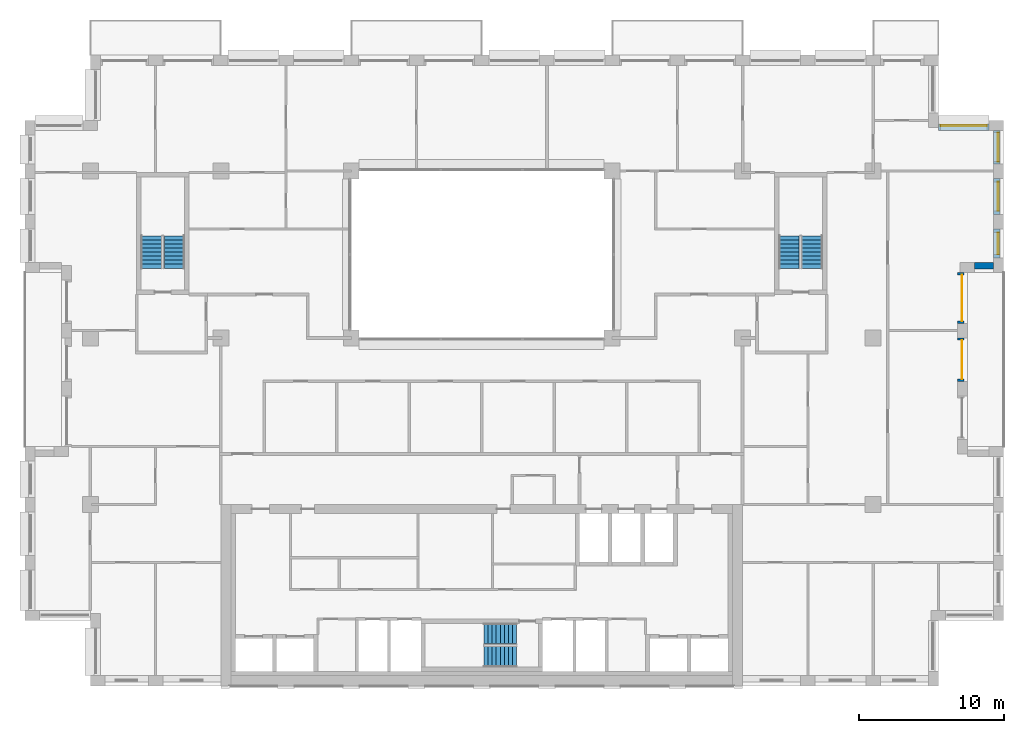
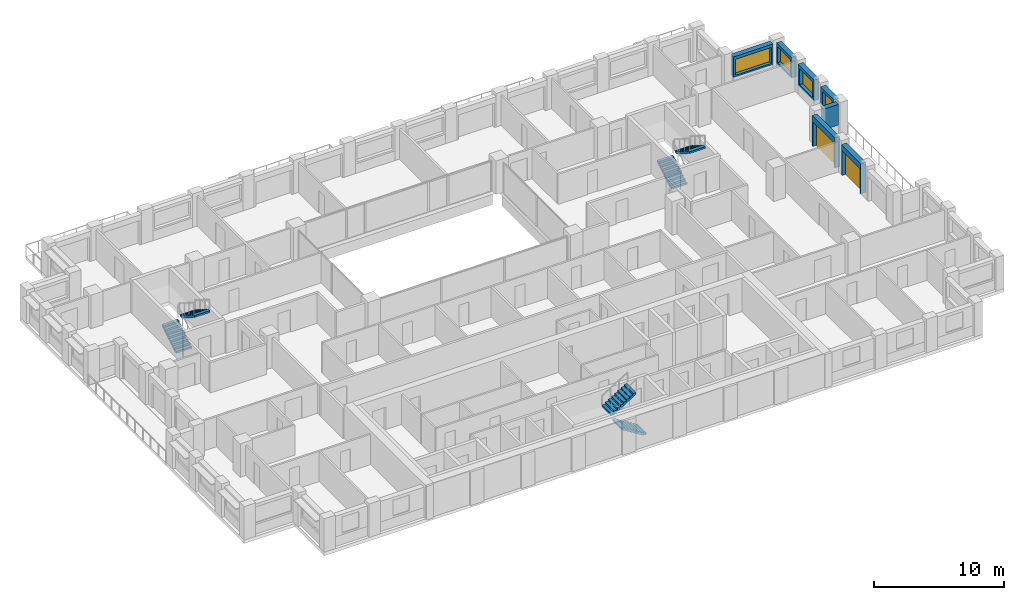
# One storey, part 14 of 15: 7 walls, 6 stair flights, 4 windows, 2 doors, 6 openings, 3 elements without a shape of their own.
"""IFC4 building model written with IfcOpenShell, lengths in metres."""

from ifc_helpers import new_model, si_unit, direction, frame, frame_2d, origin, place, context, subcontext, project, spatial, polyline, rectangle, outline, extrude, material, layer, layer_set, type_object, element, fill, aggregate, save


model = new_model("IFC4")

# Units and contexts
model_context = context("Model", 3, precision=1e-05, world=origin(), true_north=direction((0.0, 1.0)))
body_context = subcontext(model_context, "Body", "Model", "MODEL_VIEW")
ifc_project = project(units=[si_unit("LENGTHUNIT", "METRE"), si_unit("AREAUNIT", "SQUARE_METRE"), si_unit("VOLUMEUNIT", "CUBIC_METRE"), si_unit("PLANEANGLEUNIT", "RADIAN"), si_unit("MASSUNIT", "GRAM", prefix="KILO")], contexts=[model_context])

# Site, building, storey
site_placement = place(None, origin())
site = spatial("IfcSite", under=ifc_project, at=site_placement, CompositionType="ELEMENT")
building_placement = place(site_placement, origin())
building = spatial("IfcBuilding", under=site, at=building_placement, Name="Brigalow Station Residences", CompositionType="ELEMENT")
storey_placement = place(building_placement, frame((0.0, 0.0, 153.89990234375)))
storey = spatial("IfcBuildingStorey", under=building, at=storey_placement, Name="L44", CompositionType="ELEMENT", Elevation=153.89990234375)

# Wall, opening, door
ifc_material_1 = material(Name="Clay brick masonry", Category="masonry")
ifc_layer = layer(ifc_material_1, 0.449951171875)
ifc_layer_set = layer_set([ifc_layer], Name="BRICK INFILL WALL 450")
wall_type = type_object("IfcWallType", Name="BRICK INFILL WALL 450", PredefinedType="SOLIDWALL", material=ifc_layer_set)
wall_1_placement = place(storey_placement, frame((69.02490234375, 21.0, 0.0), z_axis=(0.0, 0.0, 1.0), x_axis=(0.0, 1.0, 0.0)))
wall_1 = element("IfcWall", 1, at=wall_1_placement, inside=storey, type_object=wall_type, Name="L44/ewall/W-L44-14", PredefinedType="SOLIDWALL", context=body_context, shape_type="SweptSolid", body=[
    extrude(rectangle(XDim=3.0, YDim=0.449951171875, at=frame_2d((1.5, 0.0))), origin(), (0.0, 0.0, 1.0), 2.830078125),
])
opening_1_placement = place(wall_1_placement, frame((0.14990234375, 0.0, 0.0)))
opening_1 = element("IfcOpeningElement", 2, at=opening_1_placement, cuts=wall_1, Name="Opening D-B2700", PredefinedType="OPENING", context=body_context, shape_type="SweptSolid", body=[
    extrude(rectangle(XDim=2.699951171875, YDim=2.300048828125, at=frame_2d((1.35009765625, 1.14990234375))), frame((0.0, 0.23486328125, 0.0), z_axis=(0.0, -1.0, 0.0), x_axis=(1.0, 0.0, 0.0)), (0.0, 0.0, 1.0), 0.469970703125),
])
ifc_material_2 = material(Name="Anodised aluminium frame with double glazing", Category="aluminium")
door_type_1 = type_object("IfcDoorType", Name="BALCONY SLIDING DOOR 2700x2300", OperationType="SLIDING_TO_LEFT", PredefinedType="DOOR", material=ifc_material_2)
door_1_placement = place(opening_1_placement, origin())
door_1 = element("IfcDoor", 3, at=door_1_placement, inside=storey, type_object=door_type_1, Name="L44/balcony-door/W-L44-14", OperationType="SLIDING_TO_LEFT", OverallHeight=2.300048828125, OverallWidth=2.699951171875, PredefinedType="DOOR", context=body_context, shape_type="SweptSolid", body=[
    extrude(rectangle(XDim=2.699951171875, YDim=2.300048828125, at=frame_2d((1.35009765625, 1.14990234375))), frame((0.0, -0.06982421875, 0.0), z_axis=(0.0, -1.0, 0.0), x_axis=(1.0, 0.0, 0.0)), (0.0, 0.0, 1.0), 0.050048828125),
])
fill(opening_1, door_1)

wall_2_placement = place(storey_placement, frame((69.02490234375, 25.0, 0.0), z_axis=(0.0, 0.0, 1.0), x_axis=(0.0, 1.0, 0.0)))
wall_2 = element("IfcWall", 4, at=wall_2_placement, inside=storey, type_object=wall_type, Name="L44/ewall/W-L44-15", PredefinedType="SOLIDWALL", context=body_context, shape_type="SweptSolid", body=[
    extrude(rectangle(XDim=3.5, YDim=0.449951171875, at=frame_2d((1.75, 0.0))), origin(), (0.0, 0.0, 1.0), 2.830078125),
])
opening_2_placement = place(wall_2_placement, frame((0.14990234375, 0.0, 0.0)))
opening_2 = element("IfcOpeningElement", 5, at=opening_2_placement, cuts=wall_2, Name="Opening D-B3200", PredefinedType="OPENING", context=body_context, shape_type="SweptSolid", body=[
    extrude(rectangle(XDim=3.199951171875, YDim=2.300048828125, at=frame_2d((1.60009765625, 1.14990234375))), frame((0.0, 0.23486328125, 0.0), z_axis=(0.0, -1.0, 0.0), x_axis=(1.0, 0.0, 0.0)), (0.0, 0.0, 1.0), 0.469970703125),
])
ifc_material_3 = material(Name="Anodised aluminium frame with double glazing", Category="aluminium")
door_type_2 = type_object("IfcDoorType", Name="BALCONY SLIDING DOOR 3200x2300", OperationType="SLIDING_TO_LEFT", PredefinedType="DOOR", material=ifc_material_3)
door_2_placement = place(opening_2_placement, origin())
door_2 = element("IfcDoor", 6, at=door_2_placement, inside=storey, type_object=door_type_2, Name="L44/balcony-door/W-L44-15", OperationType="SLIDING_TO_LEFT", OverallHeight=2.300048828125, OverallWidth=3.199951171875, PredefinedType="DOOR", context=body_context, shape_type="SweptSolid", body=[
    extrude(rectangle(XDim=3.199951171875, YDim=2.300048828125, at=frame_2d((1.60009765625, 1.14990234375))), frame((0.0, -0.06982421875, 0.0), z_axis=(0.0, -1.0, 0.0), x_axis=(1.0, 0.0, 0.0)), (0.0, 0.0, 1.0), 0.050048828125),
])
fill(opening_2, door_2)

# Wall
wall_3_placement = place(storey_placement, frame((70.0, 28.97509765625, 0.900146484375), z_axis=(0.0, 0.0, 1.0), x_axis=(1.0, 0.0, 0.0)))
element("IfcWall", 7, at=wall_3_placement, inside=storey, type_object=wall_type, Name="L44/ewall/W-L44-16", PredefinedType="SOLIDWALL", context=body_context, shape_type="SweptSolid", body=[
    extrude(rectangle(XDim=1.300048828125, YDim=0.449951171875, at=frame_2d((0.64990234375, 0.0))), origin(), (0.0, 0.0, 1.0), 1.929931640625),
])

# Wall, opening, window
wall_4_placement = place(storey_placement, frame((71.52490234375, 29.5, 0.900146484375), z_axis=(0.0, 0.0, 1.0), x_axis=(0.0, 1.0, 0.0)))
wall_4 = element("IfcWall", 8, at=wall_4_placement, inside=storey, type_object=wall_type, Name="L44/ewall/W-L44-17", PredefinedType="SOLIDWALL", context=body_context, shape_type="SweptSolid", body=[
    extrude(rectangle(XDim=2.0, YDim=0.449951171875, at=frame_2d((1.0, 0.0))), origin(), (0.0, 0.0, 1.0), 1.929931640625),
])
opening_3_placement = place(wall_4_placement, frame((0.25, 0.0, 0.14990234375)))
opening_3 = element("IfcOpeningElement", 9, at=opening_3_placement, cuts=wall_4, Name="Opening WT-1", PredefinedType="OPENING", context=body_context, shape_type="SweptSolid", body=[
    extrude(rectangle(XDim=1.5, YDim=1.5, at=frame_2d((0.75, 0.75))), frame((0.0, 0.23486328125, 0.0), z_axis=(0.0, -1.0, 0.0), x_axis=(1.0, 0.0, 0.0)), (0.0, 0.0, 1.0), 0.469970703125),
])
ifc_material_4 = material(Name="Anodised aluminium frame with double glazing", Category="aluminium")
window_type_1 = type_object("IfcWindowType", Name="WINDOW 1500x1500", PartitioningType="SINGLE_PANEL", PredefinedType="WINDOW", material=ifc_material_4)
window_1_placement = place(opening_3_placement, origin())
window_1 = element("IfcWindow", 10, at=window_1_placement, inside=storey, type_object=window_type_1, Name="L44/window/W-L44-17", OverallHeight=1.5, OverallWidth=1.5, PartitioningType="SINGLE_PANEL", PredefinedType="WINDOW", context=body_context, shape_type="SweptSolid", body=[
    extrude(rectangle(XDim=1.5, YDim=1.5, at=frame_2d((0.75, 0.75))), frame((0.0, -0.06494140625, 0.0), z_axis=(0.0, -1.0, 0.0), x_axis=(1.0, 0.0, 0.0)), (0.0, 0.0, 1.0), 0.06005859375),
])
fill(opening_3, window_1)

wall_5_placement = place(storey_placement, frame((71.52490234375, 32.5, 0.900146484375), z_axis=(0.0, 0.0, 1.0), x_axis=(0.0, 1.0, 0.0)))
wall_5 = element("IfcWall", 11, at=wall_5_placement, inside=storey, type_object=wall_type, Name="L44/ewall/W-L44-18", PredefinedType="SOLIDWALL", context=body_context, shape_type="SweptSolid", body=[
    extrude(rectangle(XDim=2.5, YDim=0.449951171875, at=frame_2d((1.25, 0.0))), origin(), (0.0, 0.0, 1.0), 1.929931640625),
])
opening_4_placement = place(wall_5_placement, frame((0.25, 0.0, 0.14990234375)))
opening_4 = element("IfcOpeningElement", 12, at=opening_4_placement, cuts=wall_5, Name="Opening WT-7", PredefinedType="OPENING", context=body_context, shape_type="SweptSolid", body=[
    extrude(rectangle(XDim=2.0, YDim=1.5, at=frame_2d((1.0, 0.75))), frame((0.0, 0.23486328125, 0.0), z_axis=(0.0, -1.0, 0.0), x_axis=(1.0, 0.0, 0.0)), (0.0, 0.0, 1.0), 0.469970703125),
])
ifc_material_5 = material(Name="Anodised aluminium frame with double glazing", Category="aluminium")
window_type_2 = type_object("IfcWindowType", Name="WINDOW 2000x1500", PartitioningType="SINGLE_PANEL", PredefinedType="WINDOW", material=ifc_material_5)
window_2_placement = place(opening_4_placement, origin())
window_2 = element("IfcWindow", 13, at=window_2_placement, inside=storey, type_object=window_type_2, Name="L44/window/W-L44-18", OverallHeight=1.5, OverallWidth=2.0, PartitioningType="SINGLE_PANEL", PredefinedType="WINDOW", context=body_context, shape_type="SweptSolid", body=[
    extrude(rectangle(XDim=2.0, YDim=1.5, at=frame_2d((1.0, 0.75))), frame((0.0, -0.06494140625, 0.0), z_axis=(0.0, -1.0, 0.0), x_axis=(1.0, 0.0, 0.0)), (0.0, 0.0, 1.0), 0.06005859375),
])
fill(opening_4, window_2)

wall_6_placement = place(storey_placement, frame((71.52490234375, 36.0, 0.900146484375), z_axis=(0.0, 0.0, 1.0), x_axis=(0.0, 1.0, 0.0)))
wall_6 = element("IfcWall", 14, at=wall_6_placement, inside=storey, type_object=wall_type, Name="L44/ewall/W-L44-19", PredefinedType="SOLIDWALL", context=body_context, shape_type="SweptSolid", body=[
    extrude(rectangle(XDim=2.300048828125, YDim=0.449951171875, at=frame_2d((1.14990234375, 0.0))), origin(), (0.0, 0.0, 1.0), 1.929931640625),
])
opening_5_placement = place(wall_6_placement, frame((0.14990234375, 0.0, 0.14990234375)))
opening_5 = element("IfcOpeningElement", 15, at=opening_5_placement, cuts=wall_6, Name="Opening WT-7", PredefinedType="OPENING", context=body_context, shape_type="SweptSolid", body=[
    extrude(rectangle(XDim=2.0, YDim=1.5, at=frame_2d((1.0, 0.75))), frame((0.0, 0.23486328125, 0.0), z_axis=(0.0, -1.0, 0.0), x_axis=(1.0, 0.0, 0.0)), (0.0, 0.0, 1.0), 0.469970703125),
])
window_3_placement = place(opening_5_placement, origin())
window_3 = element("IfcWindow", 16, at=window_3_placement, inside=storey, type_object=window_type_2, Name="L44/window/W-L44-19", OverallHeight=1.5, OverallWidth=2.0, PartitioningType="SINGLE_PANEL", PredefinedType="WINDOW", context=body_context, shape_type="SweptSolid", body=[
    extrude(rectangle(XDim=2.0, YDim=1.5, at=frame_2d((1.0, 0.75))), frame((0.0, -0.06494140625, 0.0), z_axis=(0.0, -1.0, 0.0), x_axis=(1.0, 0.0, 0.0)), (0.0, 0.0, 1.0), 0.06005859375),
])
fill(opening_5, window_3)

wall_7_placement = place(storey_placement, frame((71.0, 38.52490234375, 0.900146484375), z_axis=(0.0, 0.0, 1.0), x_axis=(-1.0, 0.0, 0.0)))
wall_7 = element("IfcWall", 17, at=wall_7_placement, inside=storey, type_object=wall_type, Name="L44/ewall/W-L44-20", PredefinedType="SOLIDWALL", context=body_context, shape_type="SweptSolid", body=[
    extrude(rectangle(XDim=3.5, YDim=0.449951171875, at=frame_2d((1.75, 0.0))), origin(), (0.0, 0.0, 1.0), 1.929931640625),
])
opening_6_placement = place(wall_7_placement, frame((0.14990234375, 0.0, 0.14990234375)))
opening_6 = element("IfcOpeningElement", 18, at=opening_6_placement, cuts=wall_7, Name="Opening WT-9", PredefinedType="OPENING", context=body_context, shape_type="SweptSolid", body=[
    extrude(rectangle(XDim=3.199951171875, YDim=1.5, at=frame_2d((1.60009765625, 0.75))), frame((0.0, 0.23486328125, 0.0), z_axis=(0.0, -1.0, 0.0), x_axis=(1.0, 0.0, 0.0)), (0.0, 0.0, 1.0), 0.469970703125),
])
ifc_material_6 = material(Name="Anodised aluminium frame with double glazing", Category="aluminium")
window_type_3 = type_object("IfcWindowType", Name="WINDOW 3200x1500", PartitioningType="SINGLE_PANEL", PredefinedType="WINDOW", material=ifc_material_6)
window_4_placement = place(opening_6_placement, origin())
window_4 = element("IfcWindow", 19, at=window_4_placement, inside=storey, type_object=window_type_3, Name="L44/window/W-L44-20", OverallHeight=1.5, OverallWidth=3.199951171875, PartitioningType="SINGLE_PANEL", PredefinedType="WINDOW", context=body_context, shape_type="SweptSolid", body=[
    extrude(rectangle(XDim=3.199951171875, YDim=1.5, at=frame_2d((1.60009765625, 0.75))), frame((0.0, -0.06494140625, 0.0), z_axis=(0.0, -1.0, 0.0), x_axis=(1.0, 0.0, 0.0)), (0.0, 0.0, 1.0), 0.06005859375),
])
fill(opening_6, window_4)

# Stair, stair flights
ifc_material_7 = material(Name="Concrete C50", Category="concrete")
stair_type = type_object("IfcStairType", Name="EXIT STAIR 1400 2 FLIGHT", PredefinedType="HALF_TURN_STAIR", material=ifc_material_7)
stair_1_placement = place(storey_placement, origin())
stair_1 = element("IfcStair", 20, at=stair_1_placement, inside=storey, type_object=stair_type, Name="EXIT STAIR S2 L44", PredefinedType="HALF_TURN_STAIR")
ifc_material_8 = material(Name="Concrete C50", Category="concrete")
stair_flight_type = type_object("IfcStairFlightType", Name="STAIR FLIGHT 1400", PredefinedType="STRAIGHT", material=ifc_material_8)
stair_flight_1_placement = place(storey_placement, frame((38.39990234375, 2.0, 0.0), z_axis=(0.0, 0.0, 1.0), x_axis=(-1.0, 0.0, 0.0)))
stair_flight_1 = element("IfcStairFlight", 21, at=stair_flight_1_placement, type_object=stair_flight_type, Name="ST-2 flight 1", NumberOfRisers=9, NumberOfTreads=8, PredefinedType="STRAIGHT", RiserHeight=0.175, TreadLength=0.28, context=body_context, shape_type="SweptSolid", body=[
    extrude(outline(polyline([(0.0, 0.0), (0.0, 0.175048828125), (0.280029296875, 0.175048828125), (0.280029296875, 0.35009765625), (0.56005859375, 0.35009765625), (0.56005859375, 0.52490234375), (0.840087890625, 0.52490234375), (0.840087890625, 0.699951171875), (1.1201171875, 0.699951171875), (1.1201171875, 0.875), (1.39990234375, 0.875), (1.39990234375, 1.050048828125), (1.679931640625, 1.050048828125), (1.679931640625, 1.22509765625), (1.9599609375, 1.22509765625), (1.9599609375, 1.39990234375), (2.239990234375, 1.39990234375), (2.239990234375, 1.574951171875), (2.239990234375, 1.22314453125), (0.28271484375, 0.0), (0.0, 0.0)])), frame((0.0, 0.699951171875, 0.0), z_axis=(0.0, -1.0, 0.0), x_axis=(1.0, 0.0, 0.0)), (0.0, 0.0, 1.0), 1.39990234375),
])
stair_flight_2_placement = place(storey_placement, frame((36.159912109375, 3.60009765625, 1.5751953125), z_axis=(0.0, 0.0, 1.0), x_axis=(1.0, 0.0, 0.0)))
stair_flight_2 = element("IfcStairFlight", 22, at=stair_flight_2_placement, type_object=stair_flight_type, Name="ST-2 flight 2", NumberOfRisers=9, NumberOfTreads=8, PredefinedType="STRAIGHT", RiserHeight=0.175, TreadLength=0.28, context=body_context, shape_type="SweptSolid", body=[
    extrude(outline(polyline([(0.0, 0.0), (0.0, 0.175048828125), (0.280029296875, 0.175048828125), (0.280029296875, 0.35009765625), (0.56005859375, 0.35009765625), (0.56005859375, 0.52490234375), (0.840087890625, 0.52490234375), (0.840087890625, 0.699951171875), (1.1201171875, 0.699951171875), (1.1201171875, 0.875), (1.39990234375, 0.875), (1.39990234375, 1.050048828125), (1.679931640625, 1.050048828125), (1.679931640625, 1.22509765625), (1.9599609375, 1.22509765625), (1.9599609375, 1.39990234375), (2.239990234375, 1.39990234375), (2.239990234375, 1.574951171875), (2.239990234375, 1.22314453125), (0.28271484375, 0.0), (0.0, 0.0)])), frame((0.0, 0.699951171875, 0.0), z_axis=(0.0, -1.0, 0.0), x_axis=(1.0, 0.0, 0.0)), (0.0, 0.0, 1.0), 1.39990234375),
])
aggregate(stair_1, [stair_flight_1, stair_flight_2])

stair_2_placement = place(storey_placement, origin())
stair_2 = element("IfcStair", 23, at=stair_2_placement, inside=storey, type_object=stair_type, Name="EXIT STAIR S1 L44", PredefinedType="HALF_TURN_STAIR")
stair_flight_3_placement = place(storey_placement, frame((13.199951171875, 28.800048828125, 0.0), z_axis=(0.0, 0.0, 1.0), x_axis=(0.0, 1.0, 0.0)))
stair_flight_3 = element("IfcStairFlight", 24, at=stair_flight_3_placement, type_object=stair_flight_type, Name="ST-1 flight 1", NumberOfRisers=9, NumberOfTreads=8, PredefinedType="STRAIGHT", RiserHeight=0.175, TreadLength=0.28, context=body_context, shape_type="SweptSolid", body=[
    extrude(outline(polyline([(0.0, 0.0), (0.0, 0.175048828125), (0.280029296875, 0.175048828125), (0.280029296875, 0.35009765625), (0.56005859375, 0.35009765625), (0.56005859375, 0.52490234375), (0.840087890625, 0.52490234375), (0.840087890625, 0.699951171875), (1.1201171875, 0.699951171875), (1.1201171875, 0.875), (1.39990234375, 0.875), (1.39990234375, 1.050048828125), (1.679931640625, 1.050048828125), (1.679931640625, 1.22509765625), (1.9599609375, 1.22509765625), (1.9599609375, 1.39990234375), (2.239990234375, 1.39990234375), (2.239990234375, 1.574951171875), (2.239990234375, 1.22314453125), (0.28271484375, 0.0), (0.0, 0.0)])), frame((0.0, 0.699951171875, 0.0), z_axis=(0.0, -1.0, 0.0), x_axis=(1.0, 0.0, 0.0)), (0.0, 0.0, 1.0), 1.39990234375),
])
stair_flight_4_placement = place(storey_placement, frame((14.800048828125, 31.0400390625, 1.5751953125), z_axis=(0.0, 0.0, 1.0), x_axis=(0.0, -1.0, 0.0)))
stair_flight_4 = element("IfcStairFlight", 25, at=stair_flight_4_placement, type_object=stair_flight_type, Name="ST-1 flight 2", NumberOfRisers=9, NumberOfTreads=8, PredefinedType="STRAIGHT", RiserHeight=0.175, TreadLength=0.28, context=body_context, shape_type="SweptSolid", body=[
    extrude(outline(polyline([(0.0, 0.0), (0.0, 0.175048828125), (0.280029296875, 0.175048828125), (0.280029296875, 0.35009765625), (0.56005859375, 0.35009765625), (0.56005859375, 0.52490234375), (0.840087890625, 0.52490234375), (0.840087890625, 0.699951171875), (1.1201171875, 0.699951171875), (1.1201171875, 0.875), (1.39990234375, 0.875), (1.39990234375, 1.050048828125), (1.679931640625, 1.050048828125), (1.679931640625, 1.22509765625), (1.9599609375, 1.22509765625), (1.9599609375, 1.39990234375), (2.239990234375, 1.39990234375), (2.239990234375, 1.574951171875), (2.239990234375, 1.22314453125), (0.28271484375, 0.0), (0.0, 0.0)])), frame((0.0, 0.699951171875, 0.0), z_axis=(0.0, -1.0, 0.0), x_axis=(1.0, 0.0, 0.0)), (0.0, 0.0, 1.0), 1.39990234375),
])
aggregate(stair_2, [stair_flight_3, stair_flight_4])

stair_3_placement = place(storey_placement, origin())
stair_3 = element("IfcStair", 26, at=stair_3_placement, inside=storey, type_object=stair_type, Name="EXIT STAIR S3 L44", PredefinedType="HALF_TURN_STAIR")
stair_flight_5_placement = place(storey_placement, frame((57.199951171875, 28.800048828125, 0.0), z_axis=(0.0, 0.0, 1.0), x_axis=(0.0, 1.0, 0.0)))
stair_flight_5 = element("IfcStairFlight", 27, at=stair_flight_5_placement, type_object=stair_flight_type, Name="ST-3 flight 1", NumberOfRisers=9, NumberOfTreads=8, PredefinedType="STRAIGHT", RiserHeight=0.175, TreadLength=0.28, context=body_context, shape_type="SweptSolid", body=[
    extrude(outline(polyline([(0.0, 0.0), (0.0, 0.175048828125), (0.280029296875, 0.175048828125), (0.280029296875, 0.35009765625), (0.56005859375, 0.35009765625), (0.56005859375, 0.52490234375), (0.840087890625, 0.52490234375), (0.840087890625, 0.699951171875), (1.1201171875, 0.699951171875), (1.1201171875, 0.875), (1.39990234375, 0.875), (1.39990234375, 1.050048828125), (1.679931640625, 1.050048828125), (1.679931640625, 1.22509765625), (1.9599609375, 1.22509765625), (1.9599609375, 1.39990234375), (2.239990234375, 1.39990234375), (2.239990234375, 1.574951171875), (2.239990234375, 1.22314453125), (0.28271484375, 0.0), (0.0, 0.0)])), frame((0.0, 0.699951171875, 0.0), z_axis=(0.0, -1.0, 0.0), x_axis=(1.0, 0.0, 0.0)), (0.0, 0.0, 1.0), 1.39990234375),
])
stair_flight_6_placement = place(storey_placement, frame((58.800048828125, 31.0400390625, 1.5751953125), z_axis=(0.0, 0.0, 1.0), x_axis=(0.0, -1.0, 0.0)))
stair_flight_6 = element("IfcStairFlight", 28, at=stair_flight_6_placement, type_object=stair_flight_type, Name="ST-3 flight 2", NumberOfRisers=9, NumberOfTreads=8, PredefinedType="STRAIGHT", RiserHeight=0.175, TreadLength=0.28, context=body_context, shape_type="SweptSolid", body=[
    extrude(outline(polyline([(0.0, 0.0), (0.0, 0.175048828125), (0.280029296875, 0.175048828125), (0.280029296875, 0.35009765625), (0.56005859375, 0.35009765625), (0.56005859375, 0.52490234375), (0.840087890625, 0.52490234375), (0.840087890625, 0.699951171875), (1.1201171875, 0.699951171875), (1.1201171875, 0.875), (1.39990234375, 0.875), (1.39990234375, 1.050048828125), (1.679931640625, 1.050048828125), (1.679931640625, 1.22509765625), (1.9599609375, 1.22509765625), (1.9599609375, 1.39990234375), (2.239990234375, 1.39990234375), (2.239990234375, 1.574951171875), (2.239990234375, 1.22314453125), (0.28271484375, 0.0), (0.0, 0.0)])), frame((0.0, 0.699951171875, 0.0), z_axis=(0.0, -1.0, 0.0), x_axis=(1.0, 0.0, 0.0)), (0.0, 0.0, 1.0), 1.39990234375),
])
aggregate(stair_3, [stair_flight_5, stair_flight_6])

save(model, "model.ifc")
